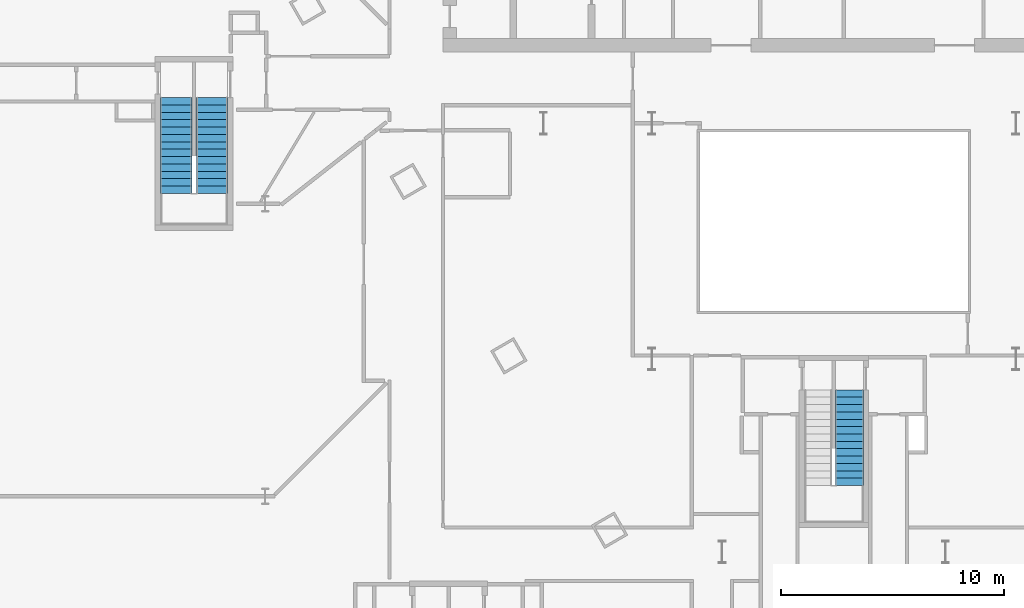
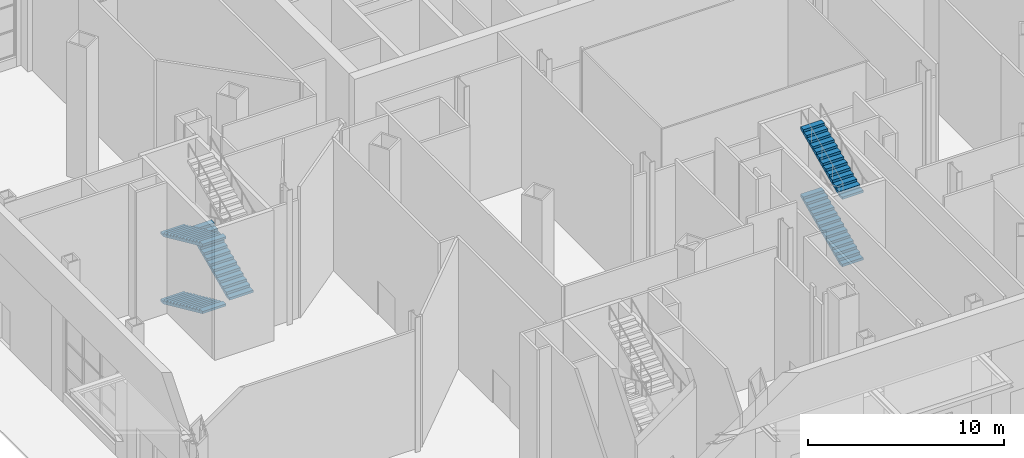
# One storey, part 27 of 34: 5 stair flights, 2 elements without a shape of their own.
"""IFC4 building model written with IfcOpenShell, lengths in metres."""

from ifc_helpers import new_model, si_unit, direction, frame, origin, place, context, subcontext, project, spatial, polygons, material, type_object, element, aggregate, save


model = new_model("IFC4")

# Units and contexts
model_context = context("Model", 3, precision=1e-05, world=origin(), true_north=direction((0.0, 1.0)))
body_context = subcontext(model_context, "Body", "Model", "MODEL_VIEW")
ifc_project = project(units=[si_unit("LENGTHUNIT", "METRE"), si_unit("AREAUNIT", "SQUARE_METRE"), si_unit("VOLUMEUNIT", "CUBIC_METRE"), si_unit("PLANEANGLEUNIT", "RADIAN"), si_unit("MASSUNIT", "GRAM", prefix="KILO")], contexts=[model_context])

# Site, building, storey
site_placement = place(None, origin())
site = spatial("IfcSite", under=ifc_project, at=site_placement, CompositionType="ELEMENT")
building_placement = place(site_placement, origin())
building = spatial("IfcBuilding", under=site, at=building_placement, Name="Njiva Tower", CompositionType="ELEMENT")
storey_placement = place(building_placement, origin())
storey = spatial("IfcBuildingStorey", under=building, at=storey_placement, Name="L00", CompositionType="ELEMENT", Elevation=0.0)

# Stair, stair flights
ifc_material = material(Name="Concrete C40/50", Category="concrete")
stair_type_1 = type_object("IfcStairType", Name="ST1 Exit stair 1250", PredefinedType="HALF_TURN_STAIR", material=ifc_material)
stair_1_placement = place(storey_placement, origin())
stair_1 = element("IfcStair", 1, at=stair_1_placement, inside=storey, type_object=stair_type_1, Name="Stair C", PredefinedType="DOUBLE_RETURN_STAIR")
stair_flight_type_1 = type_object("IfcStairFlightType", Name="FL1 Stair flight 1250", PredefinedType="STRAIGHT", material=ifc_material)
stair_flight_1_placement = place(storey_placement, frame((0.7, -19.425, 2.1), z_axis=(0.0, 0.0, 1.0), x_axis=(0.0, 1.0, 0.0)))
stair_flight_1 = element("IfcStairFlight", 2, at=stair_flight_1_placement, type_object=stair_flight_type_1, Name="ST-C flight 2", NumberOfRisers=14, NumberOfTreads=13, PredefinedType="STRAIGHT", RiserHeight=0.15, TreadLength=0.33, context=body_context, shape_type="Tessellation", body=[
    polygons([(0.0, 0.625, 0.0), (0.0, 0.3125, 0.0), (0.0, 0.0, 0.0), (0.0, -0.3125, 0.0), (0.0, -0.625, 0.0), (0.0, 0.625, 0.15), (0.0, 0.3125, 0.15), (0.0, 0.0, 0.15), (0.0, -0.3125, 0.15), (0.0, -0.625, 0.15), (0.33, 0.625, 0.15), (0.33, 0.3125, 0.15), (0.33, 0.0, 0.15), (0.33, -0.3125, 0.15), (0.33, -0.625, 0.15), (0.33, 0.625, 0.3), (0.33, 0.3125, 0.3), (0.33, 0.0, 0.3), (0.33, -0.3125, 0.3), (0.33, -0.625, 0.3), (0.66, 0.625, 0.3), (0.66, 0.3125, 0.3), (0.66, 0.0, 0.3), (0.66, -0.3125, 0.3), (0.66, -0.625, 0.3), (0.66, 0.625, 0.45), (0.66, 0.3125, 0.45), (0.66, 0.0, 0.45), (0.66, -0.3125, 0.45), (0.66, -0.625, 0.45), (0.99, 0.625, 0.45), (0.99, 0.3125, 0.45), (0.99, 0.0, 0.45), (0.99, -0.3125, 0.45), (0.99, -0.625, 0.45), (0.99, 0.625, 0.6), (0.99, 0.3125, 0.6), (0.99, 0.0, 0.6), (0.99, -0.3125, 0.6), (0.99, -0.625, 0.6), (1.32, 0.625, 0.6), (1.32, 0.3125, 0.6), (1.32, 0.0, 0.6), (1.32, -0.3125, 0.6), (1.32, -0.625, 0.6), (1.32, 0.625, 0.75), (1.32, 0.3125, 0.75), (1.32, 0.0, 0.75), (1.32, -0.3125, 0.75), (1.32, -0.625, 0.75), (1.65, 0.625, 0.75), (1.65, 0.3125, 0.75), (1.65, 0.0, 0.75), (1.65, -0.3125, 0.75), (1.65, -0.625, 0.75), (1.65, 0.625, 0.9), (1.65, 0.3125, 0.9), (1.65, 0.0, 0.9), (1.65, -0.3125, 0.9), (1.65, -0.625, 0.9), (1.98, 0.625, 0.9), (1.98, 0.3125, 0.9), (1.98, 0.0, 0.9), (1.98, -0.3125, 0.9), (1.98, -0.625, 0.9), (1.98, 0.625, 1.05), (1.98, 0.3125, 1.05), (1.98, 0.0, 1.05), (1.98, -0.3125, 1.05), (1.98, -0.625, 1.05), (2.31, 0.625, 1.05), (2.31, 0.3125, 1.05), (2.31, 0.0, 1.05), (2.31, -0.3125, 1.05), (2.31, -0.625, 1.05), (2.31, 0.625, 1.2), (2.31, 0.3125, 1.2), (2.31, 0.0, 1.2), (2.31, -0.3125, 1.2), (2.31, -0.625, 1.2), (2.64, 0.625, 1.2), (2.64, 0.3125, 1.2), (2.64, 0.0, 1.2), (2.64, -0.3125, 1.2), (2.64, -0.625, 1.2), (2.64, 0.625, 1.35), (2.64, 0.3125, 1.35), (2.64, 0.0, 1.35), (2.64, -0.3125, 1.35), (2.64, -0.625, 1.35), (2.97, 0.625, 1.35), (2.97, 0.3125, 1.35), (2.97, 0.0, 1.35), (2.97, -0.3125, 1.35), (2.97, -0.625, 1.35), (2.97, 0.625, 1.5), (2.97, 0.3125, 1.5), (2.97, 0.0, 1.5), (2.97, -0.3125, 1.5), (2.97, -0.625, 1.5), (3.3, 0.625, 1.5), (3.3, 0.3125, 1.5), (3.3, 0.0, 1.5), (3.3, -0.3125, 1.5), (3.3, -0.625, 1.5), (3.3, 0.625, 1.65), (3.3, 0.3125, 1.65), (3.3, 0.0, 1.65), (3.3, -0.3125, 1.65), (3.3, -0.625, 1.65), (3.63, 0.625, 1.65), (3.63, 0.3125, 1.65), (3.63, 0.0, 1.65), (3.63, -0.3125, 1.65), (3.63, -0.625, 1.65), (3.63, 0.625, 1.8), (3.63, 0.3125, 1.8), (3.63, 0.0, 1.8), (3.63, -0.3125, 1.8), (3.63, -0.625, 1.8), (3.96, 0.625, 1.8), (3.96, 0.3125, 1.8), (3.96, 0.0, 1.8), (3.96, -0.3125, 1.8), (3.96, -0.625, 1.8), (3.96, 0.625, 1.95), (3.96, 0.3125, 1.95), (3.96, 0.0, 1.95), (3.96, -0.3125, 1.95), (3.96, -0.625, 1.95), (4.29, 0.625, 1.95), (4.29, 0.3125, 1.95), (4.29, 0.0, 1.95), (4.29, -0.3125, 1.95), (4.29, -0.625, 1.95), (4.29, 0.625, 1.8182), (4.29, 0.3125, 1.8182), (4.29, 0.0, 1.8182), (4.29, -0.3125, 1.8182), (4.29, -0.625, 1.8182), (0.29, 0.625, 0.0), (0.29, 0.3125, 0.0), (0.29, 0.0, 0.0), (0.29, -0.3125, 0.0), (0.29, -0.625, 0.0)], [[[1, 6, 11, 16, 21, 26, 31, 36, 41, 46, 51, 56, 61, 66, 71, 76, 81, 86, 91, 96, 101, 106, 111, 116, 121, 126, 131, 136, 141]], [[145, 140, 135, 130, 125, 120, 115, 110, 105, 100, 95, 90, 85, 80, 75, 70, 65, 60, 55, 50, 45, 40, 35, 30, 25, 20, 15, 10, 5]], [[6, 1, 2, 7]], [[7, 2, 3, 8]], [[8, 3, 4, 9]], [[9, 4, 5, 10]], [[11, 6, 7, 12]], [[12, 7, 8, 13]], [[13, 8, 9, 14]], [[14, 9, 10, 15]], [[16, 11, 12, 17]], [[17, 12, 13, 18]], [[18, 13, 14, 19]], [[19, 14, 15, 20]], [[21, 16, 17, 22]], [[22, 17, 18, 23]], [[23, 18, 19, 24]], [[24, 19, 20, 25]], [[26, 21, 22, 27]], [[27, 22, 23, 28]], [[28, 23, 24, 29]], [[29, 24, 25, 30]], [[31, 26, 27, 32]], [[32, 27, 28, 33]], [[33, 28, 29, 34]], [[34, 29, 30, 35]], [[36, 31, 32, 37]], [[37, 32, 33, 38]], [[38, 33, 34, 39]], [[39, 34, 35, 40]], [[41, 36, 37, 42]], [[42, 37, 38, 43]], [[43, 38, 39, 44]], [[44, 39, 40, 45]], [[46, 41, 42, 47]], [[47, 42, 43, 48]], [[48, 43, 44, 49]], [[49, 44, 45, 50]], [[51, 46, 47, 52]], [[52, 47, 48, 53]], [[53, 48, 49, 54]], [[54, 49, 50, 55]], [[56, 51, 52, 57]], [[57, 52, 53, 58]], [[58, 53, 54, 59]], [[59, 54, 55, 60]], [[61, 56, 57, 62]], [[62, 57, 58, 63]], [[63, 58, 59, 64]], [[64, 59, 60, 65]], [[66, 61, 62, 67]], [[67, 62, 63, 68]], [[68, 63, 64, 69]], [[69, 64, 65, 70]], [[71, 66, 67, 72]], [[72, 67, 68, 73]], [[73, 68, 69, 74]], [[74, 69, 70, 75]], [[76, 71, 72, 77]], [[77, 72, 73, 78]], [[78, 73, 74, 79]], [[79, 74, 75, 80]], [[81, 76, 77, 82]], [[82, 77, 78, 83]], [[83, 78, 79, 84]], [[84, 79, 80, 85]], [[86, 81, 82, 87]], [[87, 82, 83, 88]], [[88, 83, 84, 89]], [[89, 84, 85, 90]], [[91, 86, 87, 92]], [[92, 87, 88, 93]], [[93, 88, 89, 94]], [[94, 89, 90, 95]], [[96, 91, 92, 97]], [[97, 92, 93, 98]], [[98, 93, 94, 99]], [[99, 94, 95, 100]], [[101, 96, 97, 102]], [[102, 97, 98, 103]], [[103, 98, 99, 104]], [[104, 99, 100, 105]], [[106, 101, 102, 107]], [[107, 102, 103, 108]], [[108, 103, 104, 109]], [[109, 104, 105, 110]], [[111, 106, 107, 112]], [[112, 107, 108, 113]], [[113, 108, 109, 114]], [[114, 109, 110, 115]], [[116, 111, 112, 117]], [[117, 112, 113, 118]], [[118, 113, 114, 119]], [[119, 114, 115, 120]], [[121, 116, 117, 122]], [[122, 117, 118, 123]], [[123, 118, 119, 124]], [[124, 119, 120, 125]], [[126, 121, 122, 127]], [[127, 122, 123, 128]], [[128, 123, 124, 129]], [[129, 124, 125, 130]], [[131, 126, 127, 132]], [[132, 127, 128, 133]], [[133, 128, 129, 134]], [[134, 129, 130, 135]], [[136, 131, 132, 137]], [[137, 132, 133, 138]], [[138, 133, 134, 139]], [[139, 134, 135, 140]], [[141, 136, 137, 142]], [[142, 137, 138, 143]], [[143, 138, 139, 144]], [[144, 139, 140, 145]], [[1, 141, 142, 2]], [[2, 142, 143, 3]], [[3, 143, 144, 4]], [[4, 144, 145, 5]]], closed=True),
])
stair_flight_2_placement = place(storey_placement, frame((0.7, -19.425, 6.3), z_axis=(0.0, 0.0, 1.0), x_axis=(0.0, 1.0, 0.0)))
stair_flight_2 = element("IfcStairFlight", 3, at=stair_flight_2_placement, type_object=stair_flight_type_1, Name="ST-C flight 4", NumberOfRisers=14, NumberOfTreads=13, PredefinedType="STRAIGHT", RiserHeight=0.15, TreadLength=0.33, context=body_context, shape_type="Tessellation", body=[
    polygons([(0.0, 0.625, 0.0), (0.0, 0.3125, 0.0), (0.0, 0.0, 0.0), (0.0, -0.3125, 0.0), (0.0, -0.625, 0.0), (0.0, 0.625, 0.15), (0.0, 0.3125, 0.15), (0.0, 0.0, 0.15), (0.0, -0.3125, 0.15), (0.0, -0.625, 0.15), (0.33, 0.625, 0.15), (0.33, 0.3125, 0.15), (0.33, 0.0, 0.15), (0.33, -0.3125, 0.15), (0.33, -0.625, 0.15), (0.33, 0.625, 0.3), (0.33, 0.3125, 0.3), (0.33, 0.0, 0.3), (0.33, -0.3125, 0.3), (0.33, -0.625, 0.3), (0.66, 0.625, 0.3), (0.66, 0.3125, 0.3), (0.66, 0.0, 0.3), (0.66, -0.3125, 0.3), (0.66, -0.625, 0.3), (0.66, 0.625, 0.45), (0.66, 0.3125, 0.45), (0.66, 0.0, 0.45), (0.66, -0.3125, 0.45), (0.66, -0.625, 0.45), (0.99, 0.625, 0.45), (0.99, 0.3125, 0.45), (0.99, 0.0, 0.45), (0.99, -0.3125, 0.45), (0.99, -0.625, 0.45), (0.99, 0.625, 0.6), (0.99, 0.3125, 0.6), (0.99, 0.0, 0.6), (0.99, -0.3125, 0.6), (0.99, -0.625, 0.6), (1.32, 0.625, 0.6), (1.32, 0.3125, 0.6), (1.32, 0.0, 0.6), (1.32, -0.3125, 0.6), (1.32, -0.625, 0.6), (1.32, 0.625, 0.75), (1.32, 0.3125, 0.75), (1.32, 0.0, 0.75), (1.32, -0.3125, 0.75), (1.32, -0.625, 0.75), (1.65, 0.625, 0.75), (1.65, 0.3125, 0.75), (1.65, 0.0, 0.75), (1.65, -0.3125, 0.75), (1.65, -0.625, 0.75), (1.65, 0.625, 0.9), (1.65, 0.3125, 0.9), (1.65, 0.0, 0.9), (1.65, -0.3125, 0.9), (1.65, -0.625, 0.9), (1.98, 0.625, 0.9), (1.98, 0.3125, 0.9), (1.98, 0.0, 0.9), (1.98, -0.3125, 0.9), (1.98, -0.625, 0.9), (1.98, 0.625, 1.05), (1.98, 0.3125, 1.05), (1.98, 0.0, 1.05), (1.98, -0.3125, 1.05), (1.98, -0.625, 1.05), (2.31, 0.625, 1.05), (2.31, 0.3125, 1.05), (2.31, 0.0, 1.05), (2.31, -0.3125, 1.05), (2.31, -0.625, 1.05), (2.31, 0.625, 1.2), (2.31, 0.3125, 1.2), (2.31, 0.0, 1.2), (2.31, -0.3125, 1.2), (2.31, -0.625, 1.2), (2.64, 0.625, 1.2), (2.64, 0.3125, 1.2), (2.64, 0.0, 1.2), (2.64, -0.3125, 1.2), (2.64, -0.625, 1.2), (2.64, 0.625, 1.35), (2.64, 0.3125, 1.35), (2.64, 0.0, 1.35), (2.64, -0.3125, 1.35), (2.64, -0.625, 1.35), (2.97, 0.625, 1.35), (2.97, 0.3125, 1.35), (2.97, 0.0, 1.35), (2.97, -0.3125, 1.35), (2.97, -0.625, 1.35), (2.97, 0.625, 1.5), (2.97, 0.3125, 1.5), (2.97, 0.0, 1.5), (2.97, -0.3125, 1.5), (2.97, -0.625, 1.5), (3.3, 0.625, 1.5), (3.3, 0.3125, 1.5), (3.3, 0.0, 1.5), (3.3, -0.3125, 1.5), (3.3, -0.625, 1.5), (3.3, 0.625, 1.65), (3.3, 0.3125, 1.65), (3.3, 0.0, 1.65), (3.3, -0.3125, 1.65), (3.3, -0.625, 1.65), (3.63, 0.625, 1.65), (3.63, 0.3125, 1.65), (3.63, 0.0, 1.65), (3.63, -0.3125, 1.65), (3.63, -0.625, 1.65), (3.63, 0.625, 1.8), (3.63, 0.3125, 1.8), (3.63, 0.0, 1.8), (3.63, -0.3125, 1.8), (3.63, -0.625, 1.8), (3.96, 0.625, 1.8), (3.96, 0.3125, 1.8), (3.96, 0.0, 1.8), (3.96, -0.3125, 1.8), (3.96, -0.625, 1.8), (3.96, 0.625, 1.95), (3.96, 0.3125, 1.95), (3.96, 0.0, 1.95), (3.96, -0.3125, 1.95), (3.96, -0.625, 1.95), (4.29, 0.625, 1.95), (4.29, 0.3125, 1.95), (4.29, 0.0, 1.95), (4.29, -0.3125, 1.95), (4.29, -0.625, 1.95), (4.29, 0.625, 1.8182), (4.29, 0.3125, 1.8182), (4.29, 0.0, 1.8182), (4.29, -0.3125, 1.8182), (4.29, -0.625, 1.8182), (0.29, 0.625, 0.0), (0.29, 0.3125, 0.0), (0.29, 0.0, 0.0), (0.29, -0.3125, 0.0), (0.29, -0.625, 0.0)], [[[1, 6, 11, 16, 21, 26, 31, 36, 41, 46, 51, 56, 61, 66, 71, 76, 81, 86, 91, 96, 101, 106, 111, 116, 121, 126, 131, 136, 141]], [[145, 140, 135, 130, 125, 120, 115, 110, 105, 100, 95, 90, 85, 80, 75, 70, 65, 60, 55, 50, 45, 40, 35, 30, 25, 20, 15, 10, 5]], [[6, 1, 2, 7]], [[7, 2, 3, 8]], [[8, 3, 4, 9]], [[9, 4, 5, 10]], [[11, 6, 7, 12]], [[12, 7, 8, 13]], [[13, 8, 9, 14]], [[14, 9, 10, 15]], [[16, 11, 12, 17]], [[17, 12, 13, 18]], [[18, 13, 14, 19]], [[19, 14, 15, 20]], [[21, 16, 17, 22]], [[22, 17, 18, 23]], [[23, 18, 19, 24]], [[24, 19, 20, 25]], [[26, 21, 22, 27]], [[27, 22, 23, 28]], [[28, 23, 24, 29]], [[29, 24, 25, 30]], [[31, 26, 27, 32]], [[32, 27, 28, 33]], [[33, 28, 29, 34]], [[34, 29, 30, 35]], [[36, 31, 32, 37]], [[37, 32, 33, 38]], [[38, 33, 34, 39]], [[39, 34, 35, 40]], [[41, 36, 37, 42]], [[42, 37, 38, 43]], [[43, 38, 39, 44]], [[44, 39, 40, 45]], [[46, 41, 42, 47]], [[47, 42, 43, 48]], [[48, 43, 44, 49]], [[49, 44, 45, 50]], [[51, 46, 47, 52]], [[52, 47, 48, 53]], [[53, 48, 49, 54]], [[54, 49, 50, 55]], [[56, 51, 52, 57]], [[57, 52, 53, 58]], [[58, 53, 54, 59]], [[59, 54, 55, 60]], [[61, 56, 57, 62]], [[62, 57, 58, 63]], [[63, 58, 59, 64]], [[64, 59, 60, 65]], [[66, 61, 62, 67]], [[67, 62, 63, 68]], [[68, 63, 64, 69]], [[69, 64, 65, 70]], [[71, 66, 67, 72]], [[72, 67, 68, 73]], [[73, 68, 69, 74]], [[74, 69, 70, 75]], [[76, 71, 72, 77]], [[77, 72, 73, 78]], [[78, 73, 74, 79]], [[79, 74, 75, 80]], [[81, 76, 77, 82]], [[82, 77, 78, 83]], [[83, 78, 79, 84]], [[84, 79, 80, 85]], [[86, 81, 82, 87]], [[87, 82, 83, 88]], [[88, 83, 84, 89]], [[89, 84, 85, 90]], [[91, 86, 87, 92]], [[92, 87, 88, 93]], [[93, 88, 89, 94]], [[94, 89, 90, 95]], [[96, 91, 92, 97]], [[97, 92, 93, 98]], [[98, 93, 94, 99]], [[99, 94, 95, 100]], [[101, 96, 97, 102]], [[102, 97, 98, 103]], [[103, 98, 99, 104]], [[104, 99, 100, 105]], [[106, 101, 102, 107]], [[107, 102, 103, 108]], [[108, 103, 104, 109]], [[109, 104, 105, 110]], [[111, 106, 107, 112]], [[112, 107, 108, 113]], [[113, 108, 109, 114]], [[114, 109, 110, 115]], [[116, 111, 112, 117]], [[117, 112, 113, 118]], [[118, 113, 114, 119]], [[119, 114, 115, 120]], [[121, 116, 117, 122]], [[122, 117, 118, 123]], [[123, 118, 119, 124]], [[124, 119, 120, 125]], [[126, 121, 122, 127]], [[127, 122, 123, 128]], [[128, 123, 124, 129]], [[129, 124, 125, 130]], [[131, 126, 127, 132]], [[132, 127, 128, 133]], [[133, 128, 129, 134]], [[134, 129, 130, 135]], [[136, 131, 132, 137]], [[137, 132, 133, 138]], [[138, 133, 134, 139]], [[139, 134, 135, 140]], [[141, 136, 137, 142]], [[142, 137, 138, 143]], [[143, 138, 139, 144]], [[144, 139, 140, 145]], [[1, 141, 142, 2]], [[2, 142, 143, 3]], [[3, 143, 144, 4]], [[4, 144, 145, 5]]], closed=True),
])
aggregate(stair_1, [stair_flight_1, stair_flight_2])

stair_type_2 = type_object("IfcStairType", Name="ST2 Exit stair 1400", PredefinedType="HALF_TURN_STAIR", material=ifc_material)
stair_2_placement = place(storey_placement, origin())
stair_2 = element("IfcStair", 4, at=stair_2_placement, inside=storey, type_object=stair_type_2, Name="Stair F", PredefinedType="DOUBLE_RETURN_STAIR")
stair_flight_type_2 = type_object("IfcStairFlightType", Name="FL2 Stair flight 1400", PredefinedType="STRAIGHT", material=ifc_material)
stair_flight_3_placement = place(storey_placement, frame((-29.45, -2.05, 0.0), z_axis=(0.0, 0.0, 1.0), x_axis=(0.0, -1.0, 0.0)))
stair_flight_3 = element("IfcStairFlight", 5, at=stair_flight_3_placement, type_object=stair_flight_type_2, Name="ST-F flight 1", NumberOfRisers=14, NumberOfTreads=13, PredefinedType="STRAIGHT", RiserHeight=0.15, TreadLength=0.33, context=body_context, shape_type="Tessellation", body=[
    polygons([(0.0, 0.7, 0.0), (0.0, 0.35, 0.0), (0.0, 0.0, 0.0), (0.0, -0.35, 0.0), (0.0, -0.7, 0.0), (0.0, 0.7, 0.15), (0.0, 0.35, 0.15), (0.0, 0.0, 0.15), (0.0, -0.35, 0.15), (0.0, -0.7, 0.15), (0.33, 0.7, 0.15), (0.33, 0.35, 0.15), (0.33, 0.0, 0.15), (0.33, -0.35, 0.15), (0.33, -0.7, 0.15), (0.33, 0.7, 0.3), (0.33, 0.35, 0.3), (0.33, 0.0, 0.3), (0.33, -0.35, 0.3), (0.33, -0.7, 0.3), (0.66, 0.7, 0.3), (0.66, 0.35, 0.3), (0.66, 0.0, 0.3), (0.66, -0.35, 0.3), (0.66, -0.7, 0.3), (0.66, 0.7, 0.45), (0.66, 0.35, 0.45), (0.66, 0.0, 0.45), (0.66, -0.35, 0.45), (0.66, -0.7, 0.45), (0.99, 0.7, 0.45), (0.99, 0.35, 0.45), (0.99, 0.0, 0.45), (0.99, -0.35, 0.45), (0.99, -0.7, 0.45), (0.99, 0.7, 0.6), (0.99, 0.35, 0.6), (0.99, 0.0, 0.6), (0.99, -0.35, 0.6), (0.99, -0.7, 0.6), (1.32, 0.7, 0.6), (1.32, 0.35, 0.6), (1.32, 0.0, 0.6), (1.32, -0.35, 0.6), (1.32, -0.7, 0.6), (1.32, 0.7, 0.75), (1.32, 0.35, 0.75), (1.32, 0.0, 0.75), (1.32, -0.35, 0.75), (1.32, -0.7, 0.75), (1.65, 0.7, 0.75), (1.65, 0.35, 0.75), (1.65, 0.0, 0.75), (1.65, -0.35, 0.75), (1.65, -0.7, 0.75), (1.65, 0.7, 0.9), (1.65, 0.35, 0.9), (1.65, 0.0, 0.9), (1.65, -0.35, 0.9), (1.65, -0.7, 0.9), (1.98, 0.7, 0.9), (1.98, 0.35, 0.9), (1.98, 0.0, 0.9), (1.98, -0.35, 0.9), (1.98, -0.7, 0.9), (1.98, 0.7, 1.05), (1.98, 0.35, 1.05), (1.98, 0.0, 1.05), (1.98, -0.35, 1.05), (1.98, -0.7, 1.05), (2.31, 0.7, 1.05), (2.31, 0.35, 1.05), (2.31, 0.0, 1.05), (2.31, -0.35, 1.05), (2.31, -0.7, 1.05), (2.31, 0.7, 1.2), (2.31, 0.35, 1.2), (2.31, 0.0, 1.2), (2.31, -0.35, 1.2), (2.31, -0.7, 1.2), (2.64, 0.7, 1.2), (2.64, 0.35, 1.2), (2.64, 0.0, 1.2), (2.64, -0.35, 1.2), (2.64, -0.7, 1.2), (2.64, 0.7, 1.35), (2.64, 0.35, 1.35), (2.64, 0.0, 1.35), (2.64, -0.35, 1.35), (2.64, -0.7, 1.35), (2.97, 0.7, 1.35), (2.97, 0.35, 1.35), (2.97, 0.0, 1.35), (2.97, -0.35, 1.35), (2.97, -0.7, 1.35), (2.97, 0.7, 1.5), (2.97, 0.35, 1.5), (2.97, 0.0, 1.5), (2.97, -0.35, 1.5), (2.97, -0.7, 1.5), (3.3, 0.7, 1.5), (3.3, 0.35, 1.5), (3.3, 0.0, 1.5), (3.3, -0.35, 1.5), (3.3, -0.7, 1.5), (3.3, 0.7, 1.65), (3.3, 0.35, 1.65), (3.3, 0.0, 1.65), (3.3, -0.35, 1.65), (3.3, -0.7, 1.65), (3.63, 0.7, 1.65), (3.63, 0.35, 1.65), (3.63, 0.0, 1.65), (3.63, -0.35, 1.65), (3.63, -0.7, 1.65), (3.63, 0.7, 1.8), (3.63, 0.35, 1.8), (3.63, 0.0, 1.8), (3.63, -0.35, 1.8), (3.63, -0.7, 1.8), (3.96, 0.7, 1.8), (3.96, 0.35, 1.8), (3.96, 0.0, 1.8), (3.96, -0.35, 1.8), (3.96, -0.7, 1.8), (3.96, 0.7, 1.95), (3.96, 0.35, 1.95), (3.96, 0.0, 1.95), (3.96, -0.35, 1.95), (3.96, -0.7, 1.95), (4.29, 0.7, 1.95), (4.29, 0.35, 1.95), (4.29, 0.0, 1.95), (4.29, -0.35, 1.95), (4.29, -0.7, 1.95), (4.29, 0.7, 1.8182), (4.29, 0.35, 1.8182), (4.29, 0.0, 1.8182), (4.29, -0.35, 1.8182), (4.29, -0.7, 1.8182), (0.29, 0.7, 0.0), (0.29, 0.35, 0.0), (0.29, 0.0, 0.0), (0.29, -0.35, 0.0), (0.29, -0.7, 0.0)], [[[1, 6, 11, 16, 21, 26, 31, 36, 41, 46, 51, 56, 61, 66, 71, 76, 81, 86, 91, 96, 101, 106, 111, 116, 121, 126, 131, 136, 141]], [[145, 140, 135, 130, 125, 120, 115, 110, 105, 100, 95, 90, 85, 80, 75, 70, 65, 60, 55, 50, 45, 40, 35, 30, 25, 20, 15, 10, 5]], [[6, 1, 2, 7]], [[7, 2, 3, 8]], [[8, 3, 4, 9]], [[9, 4, 5, 10]], [[11, 6, 7, 12]], [[12, 7, 8, 13]], [[13, 8, 9, 14]], [[14, 9, 10, 15]], [[16, 11, 12, 17]], [[17, 12, 13, 18]], [[18, 13, 14, 19]], [[19, 14, 15, 20]], [[21, 16, 17, 22]], [[22, 17, 18, 23]], [[23, 18, 19, 24]], [[24, 19, 20, 25]], [[26, 21, 22, 27]], [[27, 22, 23, 28]], [[28, 23, 24, 29]], [[29, 24, 25, 30]], [[31, 26, 27, 32]], [[32, 27, 28, 33]], [[33, 28, 29, 34]], [[34, 29, 30, 35]], [[36, 31, 32, 37]], [[37, 32, 33, 38]], [[38, 33, 34, 39]], [[39, 34, 35, 40]], [[41, 36, 37, 42]], [[42, 37, 38, 43]], [[43, 38, 39, 44]], [[44, 39, 40, 45]], [[46, 41, 42, 47]], [[47, 42, 43, 48]], [[48, 43, 44, 49]], [[49, 44, 45, 50]], [[51, 46, 47, 52]], [[52, 47, 48, 53]], [[53, 48, 49, 54]], [[54, 49, 50, 55]], [[56, 51, 52, 57]], [[57, 52, 53, 58]], [[58, 53, 54, 59]], [[59, 54, 55, 60]], [[61, 56, 57, 62]], [[62, 57, 58, 63]], [[63, 58, 59, 64]], [[64, 59, 60, 65]], [[66, 61, 62, 67]], [[67, 62, 63, 68]], [[68, 63, 64, 69]], [[69, 64, 65, 70]], [[71, 66, 67, 72]], [[72, 67, 68, 73]], [[73, 68, 69, 74]], [[74, 69, 70, 75]], [[76, 71, 72, 77]], [[77, 72, 73, 78]], [[78, 73, 74, 79]], [[79, 74, 75, 80]], [[81, 76, 77, 82]], [[82, 77, 78, 83]], [[83, 78, 79, 84]], [[84, 79, 80, 85]], [[86, 81, 82, 87]], [[87, 82, 83, 88]], [[88, 83, 84, 89]], [[89, 84, 85, 90]], [[91, 86, 87, 92]], [[92, 87, 88, 93]], [[93, 88, 89, 94]], [[94, 89, 90, 95]], [[96, 91, 92, 97]], [[97, 92, 93, 98]], [[98, 93, 94, 99]], [[99, 94, 95, 100]], [[101, 96, 97, 102]], [[102, 97, 98, 103]], [[103, 98, 99, 104]], [[104, 99, 100, 105]], [[106, 101, 102, 107]], [[107, 102, 103, 108]], [[108, 103, 104, 109]], [[109, 104, 105, 110]], [[111, 106, 107, 112]], [[112, 107, 108, 113]], [[113, 108, 109, 114]], [[114, 109, 110, 115]], [[116, 111, 112, 117]], [[117, 112, 113, 118]], [[118, 113, 114, 119]], [[119, 114, 115, 120]], [[121, 116, 117, 122]], [[122, 117, 118, 123]], [[123, 118, 119, 124]], [[124, 119, 120, 125]], [[126, 121, 122, 127]], [[127, 122, 123, 128]], [[128, 123, 124, 129]], [[129, 124, 125, 130]], [[131, 126, 127, 132]], [[132, 127, 128, 133]], [[133, 128, 129, 134]], [[134, 129, 130, 135]], [[136, 131, 132, 137]], [[137, 132, 133, 138]], [[138, 133, 134, 139]], [[139, 134, 135, 140]], [[141, 136, 137, 142]], [[142, 137, 138, 143]], [[143, 138, 139, 144]], [[144, 139, 140, 145]], [[1, 141, 142, 2]], [[2, 142, 143, 3]], [[3, 143, 144, 4]], [[4, 144, 145, 5]]], closed=True),
])
stair_flight_4_placement = place(storey_placement, frame((-27.85, -6.34, 2.1), z_axis=(0.0, 0.0, 1.0), x_axis=(0.0, 1.0, 0.0)))
stair_flight_4 = element("IfcStairFlight", 6, at=stair_flight_4_placement, type_object=stair_flight_type_2, Name="ST-F flight 2", NumberOfRisers=14, NumberOfTreads=13, PredefinedType="STRAIGHT", RiserHeight=0.15, TreadLength=0.33, context=body_context, shape_type="Tessellation", body=[
    polygons([(0.0, 0.7, 0.0), (0.0, 0.35, 0.0), (0.0, 0.0, 0.0), (0.0, -0.35, 0.0), (0.0, -0.7, 0.0), (0.0, 0.7, 0.15), (0.0, 0.35, 0.15), (0.0, 0.0, 0.15), (0.0, -0.35, 0.15), (0.0, -0.7, 0.15), (0.33, 0.7, 0.15), (0.33, 0.35, 0.15), (0.33, 0.0, 0.15), (0.33, -0.35, 0.15), (0.33, -0.7, 0.15), (0.33, 0.7, 0.3), (0.33, 0.35, 0.3), (0.33, 0.0, 0.3), (0.33, -0.35, 0.3), (0.33, -0.7, 0.3), (0.66, 0.7, 0.3), (0.66, 0.35, 0.3), (0.66, 0.0, 0.3), (0.66, -0.35, 0.3), (0.66, -0.7, 0.3), (0.66, 0.7, 0.45), (0.66, 0.35, 0.45), (0.66, 0.0, 0.45), (0.66, -0.35, 0.45), (0.66, -0.7, 0.45), (0.99, 0.7, 0.45), (0.99, 0.35, 0.45), (0.99, 0.0, 0.45), (0.99, -0.35, 0.45), (0.99, -0.7, 0.45), (0.99, 0.7, 0.6), (0.99, 0.35, 0.6), (0.99, 0.0, 0.6), (0.99, -0.35, 0.6), (0.99, -0.7, 0.6), (1.32, 0.7, 0.6), (1.32, 0.35, 0.6), (1.32, 0.0, 0.6), (1.32, -0.35, 0.6), (1.32, -0.7, 0.6), (1.32, 0.7, 0.75), (1.32, 0.35, 0.75), (1.32, 0.0, 0.75), (1.32, -0.35, 0.75), (1.32, -0.7, 0.75), (1.65, 0.7, 0.75), (1.65, 0.35, 0.75), (1.65, 0.0, 0.75), (1.65, -0.35, 0.75), (1.65, -0.7, 0.75), (1.65, 0.7, 0.9), (1.65, 0.35, 0.9), (1.65, 0.0, 0.9), (1.65, -0.35, 0.9), (1.65, -0.7, 0.9), (1.98, 0.7, 0.9), (1.98, 0.35, 0.9), (1.98, 0.0, 0.9), (1.98, -0.35, 0.9), (1.98, -0.7, 0.9), (1.98, 0.7, 1.05), (1.98, 0.35, 1.05), (1.98, 0.0, 1.05), (1.98, -0.35, 1.05), (1.98, -0.7, 1.05), (2.31, 0.7, 1.05), (2.31, 0.35, 1.05), (2.31, 0.0, 1.05), (2.31, -0.35, 1.05), (2.31, -0.7, 1.05), (2.31, 0.7, 1.2), (2.31, 0.35, 1.2), (2.31, 0.0, 1.2), (2.31, -0.35, 1.2), (2.31, -0.7, 1.2), (2.64, 0.7, 1.2), (2.64, 0.35, 1.2), (2.64, 0.0, 1.2), (2.64, -0.35, 1.2), (2.64, -0.7, 1.2), (2.64, 0.7, 1.35), (2.64, 0.35, 1.35), (2.64, 0.0, 1.35), (2.64, -0.35, 1.35), (2.64, -0.7, 1.35), (2.97, 0.7, 1.35), (2.97, 0.35, 1.35), (2.97, 0.0, 1.35), (2.97, -0.35, 1.35), (2.97, -0.7, 1.35), (2.97, 0.7, 1.5), (2.97, 0.35, 1.5), (2.97, 0.0, 1.5), (2.97, -0.35, 1.5), (2.97, -0.7, 1.5), (3.3, 0.7, 1.5), (3.3, 0.35, 1.5), (3.3, 0.0, 1.5), (3.3, -0.35, 1.5), (3.3, -0.7, 1.5), (3.3, 0.7, 1.65), (3.3, 0.35, 1.65), (3.3, 0.0, 1.65), (3.3, -0.35, 1.65), (3.3, -0.7, 1.65), (3.63, 0.7, 1.65), (3.63, 0.35, 1.65), (3.63, 0.0, 1.65), (3.63, -0.35, 1.65), (3.63, -0.7, 1.65), (3.63, 0.7, 1.8), (3.63, 0.35, 1.8), (3.63, 0.0, 1.8), (3.63, -0.35, 1.8), (3.63, -0.7, 1.8), (3.96, 0.7, 1.8), (3.96, 0.35, 1.8), (3.96, 0.0, 1.8), (3.96, -0.35, 1.8), (3.96, -0.7, 1.8), (3.96, 0.7, 1.95), (3.96, 0.35, 1.95), (3.96, 0.0, 1.95), (3.96, -0.35, 1.95), (3.96, -0.7, 1.95), (4.29, 0.7, 1.95), (4.29, 0.35, 1.95), (4.29, 0.0, 1.95), (4.29, -0.35, 1.95), (4.29, -0.7, 1.95), (4.29, 0.7, 1.8182), (4.29, 0.35, 1.8182), (4.29, 0.0, 1.8182), (4.29, -0.35, 1.8182), (4.29, -0.7, 1.8182), (0.29, 0.7, 0.0), (0.29, 0.35, 0.0), (0.29, 0.0, 0.0), (0.29, -0.35, 0.0), (0.29, -0.7, 0.0)], [[[1, 6, 11, 16, 21, 26, 31, 36, 41, 46, 51, 56, 61, 66, 71, 76, 81, 86, 91, 96, 101, 106, 111, 116, 121, 126, 131, 136, 141]], [[145, 140, 135, 130, 125, 120, 115, 110, 105, 100, 95, 90, 85, 80, 75, 70, 65, 60, 55, 50, 45, 40, 35, 30, 25, 20, 15, 10, 5]], [[6, 1, 2, 7]], [[7, 2, 3, 8]], [[8, 3, 4, 9]], [[9, 4, 5, 10]], [[11, 6, 7, 12]], [[12, 7, 8, 13]], [[13, 8, 9, 14]], [[14, 9, 10, 15]], [[16, 11, 12, 17]], [[17, 12, 13, 18]], [[18, 13, 14, 19]], [[19, 14, 15, 20]], [[21, 16, 17, 22]], [[22, 17, 18, 23]], [[23, 18, 19, 24]], [[24, 19, 20, 25]], [[26, 21, 22, 27]], [[27, 22, 23, 28]], [[28, 23, 24, 29]], [[29, 24, 25, 30]], [[31, 26, 27, 32]], [[32, 27, 28, 33]], [[33, 28, 29, 34]], [[34, 29, 30, 35]], [[36, 31, 32, 37]], [[37, 32, 33, 38]], [[38, 33, 34, 39]], [[39, 34, 35, 40]], [[41, 36, 37, 42]], [[42, 37, 38, 43]], [[43, 38, 39, 44]], [[44, 39, 40, 45]], [[46, 41, 42, 47]], [[47, 42, 43, 48]], [[48, 43, 44, 49]], [[49, 44, 45, 50]], [[51, 46, 47, 52]], [[52, 47, 48, 53]], [[53, 48, 49, 54]], [[54, 49, 50, 55]], [[56, 51, 52, 57]], [[57, 52, 53, 58]], [[58, 53, 54, 59]], [[59, 54, 55, 60]], [[61, 56, 57, 62]], [[62, 57, 58, 63]], [[63, 58, 59, 64]], [[64, 59, 60, 65]], [[66, 61, 62, 67]], [[67, 62, 63, 68]], [[68, 63, 64, 69]], [[69, 64, 65, 70]], [[71, 66, 67, 72]], [[72, 67, 68, 73]], [[73, 68, 69, 74]], [[74, 69, 70, 75]], [[76, 71, 72, 77]], [[77, 72, 73, 78]], [[78, 73, 74, 79]], [[79, 74, 75, 80]], [[81, 76, 77, 82]], [[82, 77, 78, 83]], [[83, 78, 79, 84]], [[84, 79, 80, 85]], [[86, 81, 82, 87]], [[87, 82, 83, 88]], [[88, 83, 84, 89]], [[89, 84, 85, 90]], [[91, 86, 87, 92]], [[92, 87, 88, 93]], [[93, 88, 89, 94]], [[94, 89, 90, 95]], [[96, 91, 92, 97]], [[97, 92, 93, 98]], [[98, 93, 94, 99]], [[99, 94, 95, 100]], [[101, 96, 97, 102]], [[102, 97, 98, 103]], [[103, 98, 99, 104]], [[104, 99, 100, 105]], [[106, 101, 102, 107]], [[107, 102, 103, 108]], [[108, 103, 104, 109]], [[109, 104, 105, 110]], [[111, 106, 107, 112]], [[112, 107, 108, 113]], [[113, 108, 109, 114]], [[114, 109, 110, 115]], [[116, 111, 112, 117]], [[117, 112, 113, 118]], [[118, 113, 114, 119]], [[119, 114, 115, 120]], [[121, 116, 117, 122]], [[122, 117, 118, 123]], [[123, 118, 119, 124]], [[124, 119, 120, 125]], [[126, 121, 122, 127]], [[127, 122, 123, 128]], [[128, 123, 124, 129]], [[129, 124, 125, 130]], [[131, 126, 127, 132]], [[132, 127, 128, 133]], [[133, 128, 129, 134]], [[134, 129, 130, 135]], [[136, 131, 132, 137]], [[137, 132, 133, 138]], [[138, 133, 134, 139]], [[139, 134, 135, 140]], [[141, 136, 137, 142]], [[142, 137, 138, 143]], [[143, 138, 139, 144]], [[144, 139, 140, 145]], [[1, 141, 142, 2]], [[2, 142, 143, 3]], [[3, 143, 144, 4]], [[4, 144, 145, 5]]], closed=True),
])
stair_flight_5_placement = place(storey_placement, frame((-29.45, -2.05, 4.2), z_axis=(0.0, 0.0, 1.0), x_axis=(0.0, -1.0, 0.0)))
stair_flight_5 = element("IfcStairFlight", 7, at=stair_flight_5_placement, type_object=stair_flight_type_2, Name="ST-F flight 3", NumberOfRisers=14, NumberOfTreads=13, PredefinedType="STRAIGHT", RiserHeight=0.15, TreadLength=0.33, context=body_context, shape_type="Tessellation", body=[
    polygons([(0.0, 0.7, 0.0), (0.0, 0.35, 0.0), (0.0, 0.0, 0.0), (0.0, -0.35, 0.0), (0.0, -0.7, 0.0), (0.0, 0.7, 0.15), (0.0, 0.35, 0.15), (0.0, 0.0, 0.15), (0.0, -0.35, 0.15), (0.0, -0.7, 0.15), (0.33, 0.7, 0.15), (0.33, 0.35, 0.15), (0.33, 0.0, 0.15), (0.33, -0.35, 0.15), (0.33, -0.7, 0.15), (0.33, 0.7, 0.3), (0.33, 0.35, 0.3), (0.33, 0.0, 0.3), (0.33, -0.35, 0.3), (0.33, -0.7, 0.3), (0.66, 0.7, 0.3), (0.66, 0.35, 0.3), (0.66, 0.0, 0.3), (0.66, -0.35, 0.3), (0.66, -0.7, 0.3), (0.66, 0.7, 0.45), (0.66, 0.35, 0.45), (0.66, 0.0, 0.45), (0.66, -0.35, 0.45), (0.66, -0.7, 0.45), (0.99, 0.7, 0.45), (0.99, 0.35, 0.45), (0.99, 0.0, 0.45), (0.99, -0.35, 0.45), (0.99, -0.7, 0.45), (0.99, 0.7, 0.6), (0.99, 0.35, 0.6), (0.99, 0.0, 0.6), (0.99, -0.35, 0.6), (0.99, -0.7, 0.6), (1.32, 0.7, 0.6), (1.32, 0.35, 0.6), (1.32, 0.0, 0.6), (1.32, -0.35, 0.6), (1.32, -0.7, 0.6), (1.32, 0.7, 0.75), (1.32, 0.35, 0.75), (1.32, 0.0, 0.75), (1.32, -0.35, 0.75), (1.32, -0.7, 0.75), (1.65, 0.7, 0.75), (1.65, 0.35, 0.75), (1.65, 0.0, 0.75), (1.65, -0.35, 0.75), (1.65, -0.7, 0.75), (1.65, 0.7, 0.9), (1.65, 0.35, 0.9), (1.65, 0.0, 0.9), (1.65, -0.35, 0.9), (1.65, -0.7, 0.9), (1.98, 0.7, 0.9), (1.98, 0.35, 0.9), (1.98, 0.0, 0.9), (1.98, -0.35, 0.9), (1.98, -0.7, 0.9), (1.98, 0.7, 1.05), (1.98, 0.35, 1.05), (1.98, 0.0, 1.05), (1.98, -0.35, 1.05), (1.98, -0.7, 1.05), (2.31, 0.7, 1.05), (2.31, 0.35, 1.05), (2.31, 0.0, 1.05), (2.31, -0.35, 1.05), (2.31, -0.7, 1.05), (2.31, 0.7, 1.2), (2.31, 0.35, 1.2), (2.31, 0.0, 1.2), (2.31, -0.35, 1.2), (2.31, -0.7, 1.2), (2.64, 0.7, 1.2), (2.64, 0.35, 1.2), (2.64, 0.0, 1.2), (2.64, -0.35, 1.2), (2.64, -0.7, 1.2), (2.64, 0.7, 1.35), (2.64, 0.35, 1.35), (2.64, 0.0, 1.35), (2.64, -0.35, 1.35), (2.64, -0.7, 1.35), (2.97, 0.7, 1.35), (2.97, 0.35, 1.35), (2.97, 0.0, 1.35), (2.97, -0.35, 1.35), (2.97, -0.7, 1.35), (2.97, 0.7, 1.5), (2.97, 0.35, 1.5), (2.97, 0.0, 1.5), (2.97, -0.35, 1.5), (2.97, -0.7, 1.5), (3.3, 0.7, 1.5), (3.3, 0.35, 1.5), (3.3, 0.0, 1.5), (3.3, -0.35, 1.5), (3.3, -0.7, 1.5), (3.3, 0.7, 1.65), (3.3, 0.35, 1.65), (3.3, 0.0, 1.65), (3.3, -0.35, 1.65), (3.3, -0.7, 1.65), (3.63, 0.7, 1.65), (3.63, 0.35, 1.65), (3.63, 0.0, 1.65), (3.63, -0.35, 1.65), (3.63, -0.7, 1.65), (3.63, 0.7, 1.8), (3.63, 0.35, 1.8), (3.63, 0.0, 1.8), (3.63, -0.35, 1.8), (3.63, -0.7, 1.8), (3.96, 0.7, 1.8), (3.96, 0.35, 1.8), (3.96, 0.0, 1.8), (3.96, -0.35, 1.8), (3.96, -0.7, 1.8), (3.96, 0.7, 1.95), (3.96, 0.35, 1.95), (3.96, 0.0, 1.95), (3.96, -0.35, 1.95), (3.96, -0.7, 1.95), (4.29, 0.7, 1.95), (4.29, 0.35, 1.95), (4.29, 0.0, 1.95), (4.29, -0.35, 1.95), (4.29, -0.7, 1.95), (4.29, 0.7, 1.8182), (4.29, 0.35, 1.8182), (4.29, 0.0, 1.8182), (4.29, -0.35, 1.8182), (4.29, -0.7, 1.8182), (0.29, 0.7, 0.0), (0.29, 0.35, 0.0), (0.29, 0.0, 0.0), (0.29, -0.35, 0.0), (0.29, -0.7, 0.0)], [[[1, 6, 11, 16, 21, 26, 31, 36, 41, 46, 51, 56, 61, 66, 71, 76, 81, 86, 91, 96, 101, 106, 111, 116, 121, 126, 131, 136, 141]], [[145, 140, 135, 130, 125, 120, 115, 110, 105, 100, 95, 90, 85, 80, 75, 70, 65, 60, 55, 50, 45, 40, 35, 30, 25, 20, 15, 10, 5]], [[6, 1, 2, 7]], [[7, 2, 3, 8]], [[8, 3, 4, 9]], [[9, 4, 5, 10]], [[11, 6, 7, 12]], [[12, 7, 8, 13]], [[13, 8, 9, 14]], [[14, 9, 10, 15]], [[16, 11, 12, 17]], [[17, 12, 13, 18]], [[18, 13, 14, 19]], [[19, 14, 15, 20]], [[21, 16, 17, 22]], [[22, 17, 18, 23]], [[23, 18, 19, 24]], [[24, 19, 20, 25]], [[26, 21, 22, 27]], [[27, 22, 23, 28]], [[28, 23, 24, 29]], [[29, 24, 25, 30]], [[31, 26, 27, 32]], [[32, 27, 28, 33]], [[33, 28, 29, 34]], [[34, 29, 30, 35]], [[36, 31, 32, 37]], [[37, 32, 33, 38]], [[38, 33, 34, 39]], [[39, 34, 35, 40]], [[41, 36, 37, 42]], [[42, 37, 38, 43]], [[43, 38, 39, 44]], [[44, 39, 40, 45]], [[46, 41, 42, 47]], [[47, 42, 43, 48]], [[48, 43, 44, 49]], [[49, 44, 45, 50]], [[51, 46, 47, 52]], [[52, 47, 48, 53]], [[53, 48, 49, 54]], [[54, 49, 50, 55]], [[56, 51, 52, 57]], [[57, 52, 53, 58]], [[58, 53, 54, 59]], [[59, 54, 55, 60]], [[61, 56, 57, 62]], [[62, 57, 58, 63]], [[63, 58, 59, 64]], [[64, 59, 60, 65]], [[66, 61, 62, 67]], [[67, 62, 63, 68]], [[68, 63, 64, 69]], [[69, 64, 65, 70]], [[71, 66, 67, 72]], [[72, 67, 68, 73]], [[73, 68, 69, 74]], [[74, 69, 70, 75]], [[76, 71, 72, 77]], [[77, 72, 73, 78]], [[78, 73, 74, 79]], [[79, 74, 75, 80]], [[81, 76, 77, 82]], [[82, 77, 78, 83]], [[83, 78, 79, 84]], [[84, 79, 80, 85]], [[86, 81, 82, 87]], [[87, 82, 83, 88]], [[88, 83, 84, 89]], [[89, 84, 85, 90]], [[91, 86, 87, 92]], [[92, 87, 88, 93]], [[93, 88, 89, 94]], [[94, 89, 90, 95]], [[96, 91, 92, 97]], [[97, 92, 93, 98]], [[98, 93, 94, 99]], [[99, 94, 95, 100]], [[101, 96, 97, 102]], [[102, 97, 98, 103]], [[103, 98, 99, 104]], [[104, 99, 100, 105]], [[106, 101, 102, 107]], [[107, 102, 103, 108]], [[108, 103, 104, 109]], [[109, 104, 105, 110]], [[111, 106, 107, 112]], [[112, 107, 108, 113]], [[113, 108, 109, 114]], [[114, 109, 110, 115]], [[116, 111, 112, 117]], [[117, 112, 113, 118]], [[118, 113, 114, 119]], [[119, 114, 115, 120]], [[121, 116, 117, 122]], [[122, 117, 118, 123]], [[123, 118, 119, 124]], [[124, 119, 120, 125]], [[126, 121, 122, 127]], [[127, 122, 123, 128]], [[128, 123, 124, 129]], [[129, 124, 125, 130]], [[131, 126, 127, 132]], [[132, 127, 128, 133]], [[133, 128, 129, 134]], [[134, 129, 130, 135]], [[136, 131, 132, 137]], [[137, 132, 133, 138]], [[138, 133, 134, 139]], [[139, 134, 135, 140]], [[141, 136, 137, 142]], [[142, 137, 138, 143]], [[143, 138, 139, 144]], [[144, 139, 140, 145]], [[1, 141, 142, 2]], [[2, 142, 143, 3]], [[3, 143, 144, 4]], [[4, 144, 145, 5]]], closed=True),
])
aggregate(stair_2, [stair_flight_3, stair_flight_4, stair_flight_5])

save(model, "model.ifc")
